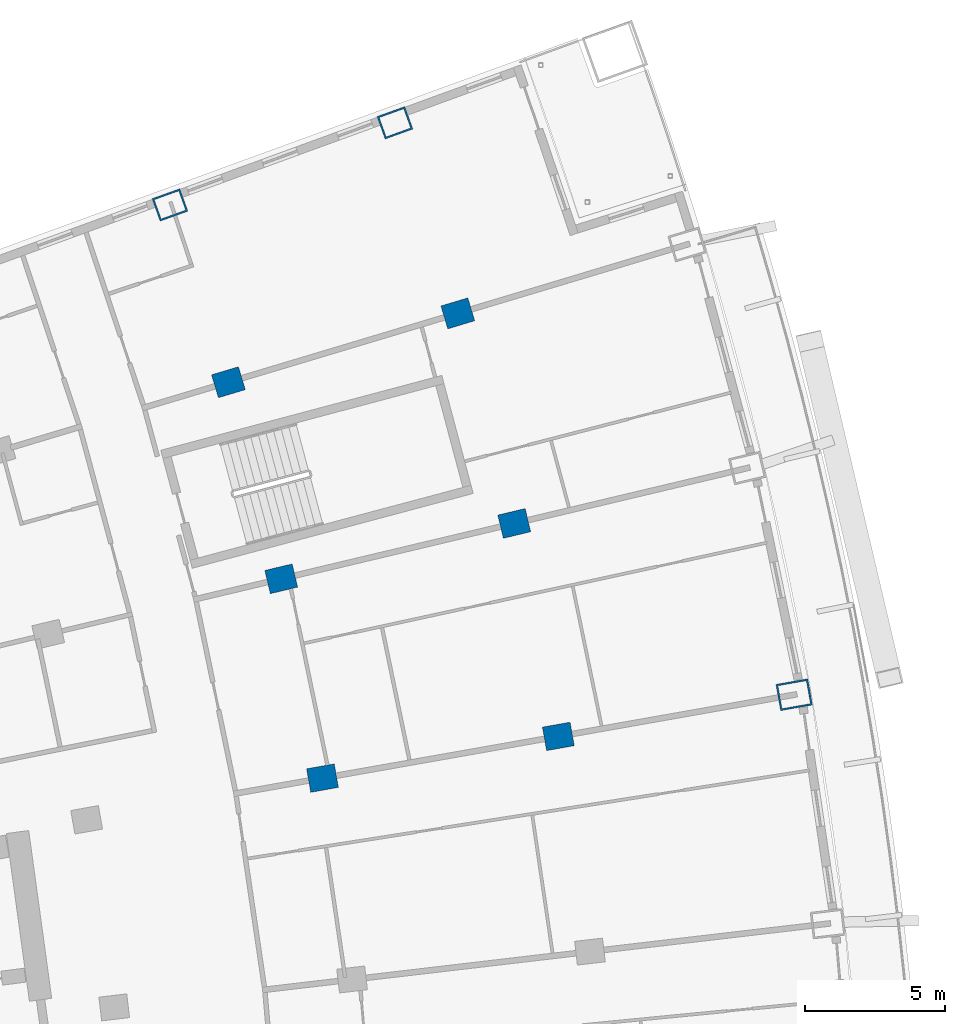
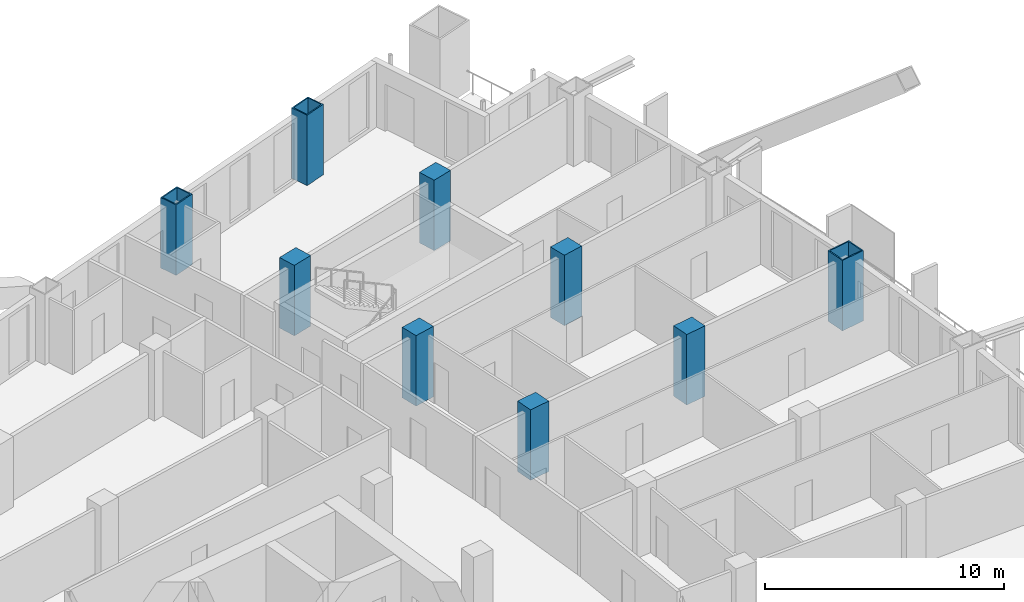
# One storey, part 10 of 25: 9 columns.
"""IFC4 building model written with IfcOpenShell, lengths in metres."""

from ifc_helpers import new_model, si_unit, direction, frame, origin, origin_2d, place, context, subcontext, project, spatial, rectangle, hollow_rectangle, extrude, material, material_profile, profile_set, type_object, element, save


model = new_model("IFC4")

# Units and contexts
model_context = context("Model", 3, precision=1e-05, world=origin(), true_north=direction((0.0, 1.0)))
body_context = subcontext(model_context, "Body", "Model", "MODEL_VIEW")
ifc_project = project(units=[si_unit("LENGTHUNIT", "METRE"), si_unit("AREAUNIT", "SQUARE_METRE"), si_unit("VOLUMEUNIT", "CUBIC_METRE"), si_unit("PLANEANGLEUNIT", "RADIAN"), si_unit("MASSUNIT", "GRAM", prefix="KILO")], contexts=[model_context])

# Site, building, storey
site_placement = place(None, origin())
site = spatial("IfcSite", under=ifc_project, at=site_placement, CompositionType="ELEMENT")
building_placement = place(site_placement, origin())
building = spatial("IfcBuilding", under=site, at=building_placement, Name="Alderwake Tower", CompositionType="ELEMENT")
storey_placement = place(building_placement, frame((0.0, 0.0, 93.199951171875)))
storey = spatial("IfcBuildingStorey", under=building, at=storey_placement, Name="L22", CompositionType="ELEMENT", Elevation=93.199951171875)

# Columns
ifc_material_1 = material(Name="Steel ASTM A572 Grade 50 concrete filled C70/85", Category="concrete")
ifc_material_profile_1 = material_profile(ifc_material_1, hollow_rectangle(XDim=0.85009765625, YDim=1.050048828125, WallThickness=0.06005859375, at=origin_2d()), Name="BOX 1050X850X60")
ifc_profile_set_1 = profile_set([ifc_material_profile_1], Name="Steel ASTM A572 Grade 50 concrete filled C70/85")
column_type_1 = type_object("IfcColumnType", Name="End column Z2", PredefinedType="COLUMN", material=ifc_profile_set_1)
for number, where, z_axis, x_axis, name in (
    (1, (36.999755859375, 103.069580078125, 0.0), (0.0, 0.0, 1.0), (-0.338360199215, 0.941016671259, 0.0), "Column R13-C3"),
    (2, (45.015869140625, 105.99560546875, 0.0), (0.0, 0.0, 1.0), (-0.33865252722, 0.940911507958, 0.0), "Column R13-C4"),
):
    element("IfcColumn", number, at=place(storey_placement, frame(where, z_axis=z_axis, x_axis=x_axis)), inside=storey, type_object=column_type_1, Name=name, PredefinedType="COLUMN", context=body_context, shape_type="SweptSolid", body=[
        extrude(hollow_rectangle(XDim=0.85009765625, YDim=1.050048828125, WallThickness=0.06005859375, at=origin_2d()), origin(), (0.0, 0.0, 1.0), 3.60009765625),
    ])
ifc_material_2 = material(Name="Concrete C70/85", Category="concrete")
ifc_material_profile_2 = material_profile(ifc_material_2, rectangle(XDim=0.85009765625, YDim=1.0, at=origin_2d()), Name="RC 1000X850")
ifc_profile_set_2 = profile_set([ifc_material_profile_2], Name="Concrete C70/85")
column_type_2 = type_object("IfcColumnType", Name="Interior column Z2", PredefinedType="COLUMN", material=ifc_profile_set_2)
for number, where, z_axis, x_axis, name in (
    (3, (42.434326171875, 82.6474609375, 0.0), (0.0, 0.0, 1.0), (-0.174107082075, 0.984726725529, 0.0), "Column R10-C3"),
    (4, (50.83740234375, 84.13330078125, 0.0), (0.0, 0.0, 1.0), (-0.174108800747, 0.984726421654, 0.0), "Column R10-C4"),
    (5, (40.964111328125, 89.74853515625, 0.0), (0.0, 0.0, 1.0), (-0.231221547198, 0.972901123502, 0.0), "Column R11-C3"),
    (6, (49.26611328125, 91.7216796875, 0.0), (0.0, 0.0, 1.0), (-0.231221547198, 0.972901123502, 0.0), "Column R11-C4"),
    (7, (39.082275390625, 96.751953125, 0.0), (0.0, 0.0, 1.0), (-0.287549418125, 0.957765802342, 0.0), "Column R12-C3"),
    (8, (47.255126953125, 99.205810546875, 0.0), (0.0, 0.0, 1.0), (-0.287549418125, 0.957765802342, 0.0), "Column R12-C4"),
):
    element("IfcColumn", number, at=place(storey_placement, frame(where, z_axis=z_axis, x_axis=x_axis)), inside=storey, type_object=column_type_2, Name=name, PredefinedType="COLUMN", context=body_context, shape_type="SweptSolid", body=[
        extrude(rectangle(XDim=0.85009765625, YDim=1.0, at=origin_2d()), origin(), (0.0, 0.0, 1.0), 3.60009765625),
    ])
ifc_material_3 = material(Name="Steel ASTM A572 Grade 50 concrete filled C70/85", Category="concrete")
ifc_material_profile_3 = material_profile(ifc_material_3, hollow_rectangle(XDim=0.949951171875, YDim=1.14990234375, WallThickness=0.06005859375, at=origin_2d()), Name="BOX 1150X950X60")
ifc_profile_set_3 = profile_set([ifc_material_profile_3], Name="Steel ASTM A572 Grade 50 concrete filled C70/85")
column_type_3 = type_object("IfcColumnType", Name="Perimeter column Z2", PredefinedType="COLUMN", material=ifc_profile_set_3)
column_placement = place(storey_placement, frame((59.240234375, 85.618896484375, 0.0), z_axis=(0.0, 0.0, 1.0), x_axis=(-0.174108800747, 0.984726421654, 0.0)))
element("IfcColumn", 9, at=column_placement, inside=storey, type_object=column_type_3, Name="Column R10-C5", PredefinedType="COLUMN", context=body_context, shape_type="SweptSolid", body=[
    extrude(hollow_rectangle(XDim=0.949951171875, YDim=1.14990234375, WallThickness=0.06005859375, at=origin_2d()), origin(), (0.0, 0.0, 1.0), 3.60009765625),
])

save(model, "model.ifc")
